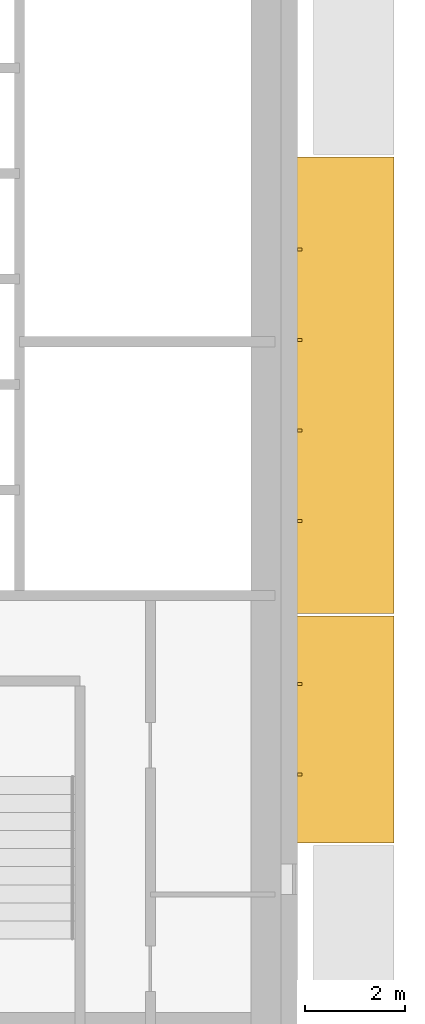
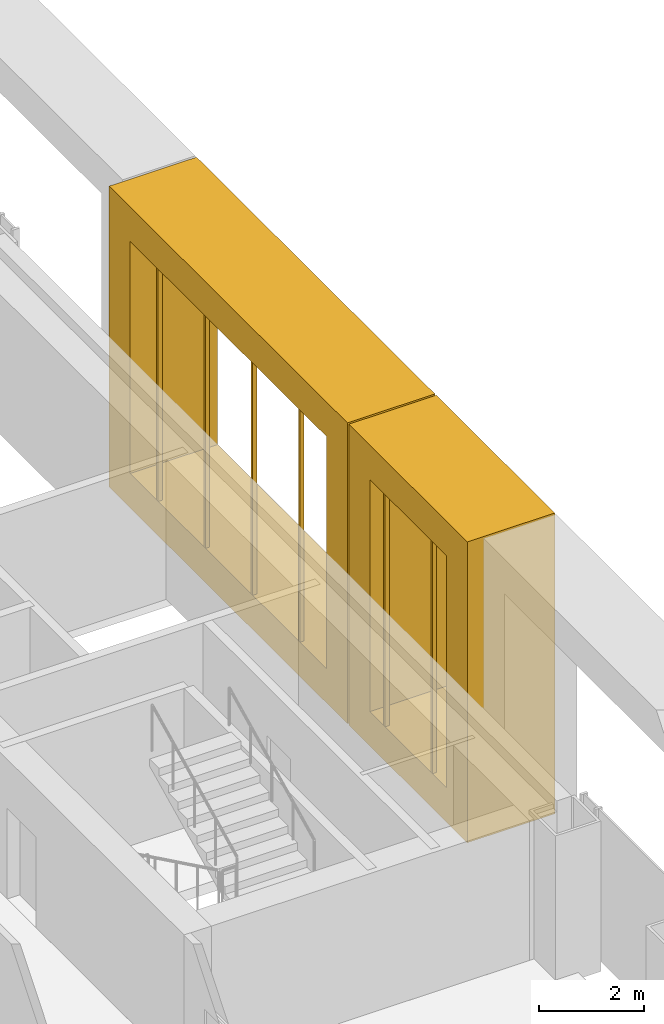
# One storey, part 23 of 25: 8 coverings.
"""IFC4 building model written with IfcOpenShell, lengths in metres."""

from ifc_helpers import new_model, si_unit, direction, frame, origin, origin_2d, place, context, subcontext, project, spatial, polyline, rectangle, outline, extrude, material, type_object, element, save


model = new_model("IFC4")

# Units and contexts
model_context = context("Model", 3, precision=1e-05, world=origin(), true_north=direction((0.0, 1.0)))
body_context = subcontext(model_context, "Body", "Model", "MODEL_VIEW")
ifc_project = project(units=[si_unit("LENGTHUNIT", "METRE"), si_unit("AREAUNIT", "SQUARE_METRE"), si_unit("VOLUMEUNIT", "CUBIC_METRE"), si_unit("PLANEANGLEUNIT", "RADIAN"), si_unit("MASSUNIT", "GRAM", prefix="KILO")], contexts=[model_context])

# Site, building, storey
site_placement = place(None, origin())
site = spatial("IfcSite", under=ifc_project, at=site_placement, CompositionType="ELEMENT")
building_placement = place(site_placement, origin())
building = spatial("IfcBuilding", under=site, at=building_placement, Name="Cobrizo Arcos Hotel Tower", CompositionType="ELEMENT")
storey_placement = place(building_placement, frame((0.0, 0.0, 46.0)))
storey = spatial("IfcBuildingStorey", under=building, at=storey_placement, Name="L09", CompositionType="ELEMENT", Elevation=46.0)

# Coverings
ifc_material_1 = material(Name="Aluminium 6063-T6 anodised bronze", Category="aluminium")
covering_type_1 = type_object("IfcCoveringType", Name="FIN-F 1925", PredefinedType="CLADDING", material=ifc_material_1)
covering_1_placement = place(storey_placement, frame((24.324951171875, -6.824951171875, 0.0), z_axis=(1.0, 0.0, 0.0), x_axis=(0.0, 1.0, 0.0)))
element("IfcCovering", 1, at=covering_1_placement, inside=storey, type_object=covering_type_1, Name="Fin frame 23", PredefinedType="CLADDING", context=body_context, shape_type="SweptSolid", body=[
    extrude(outline(polyline([(0.0, 7.0), (0.0, 0.0), (4.5166015625, 0.0), (4.5166015625, 7.0), (0.0, 7.0)]), holes=[polyline([(3.716796875, 0.800048828125), (0.800048828125, 0.800048828125), (0.800048828125, 6.199951171875), (3.716796875, 6.199951171875), (3.716796875, 0.800048828125)])]), origin(), (0.0, 0.0, 1.0), 1.925048828125),
])
covering_2_placement = place(storey_placement, frame((24.324951171875, -2.25830078125, 0.0), z_axis=(1.0, 0.0, 0.0), x_axis=(0.0, 1.0, 0.0)))
element("IfcCovering", 2, at=covering_2_placement, inside=storey, type_object=covering_type_1, Name="Fin frame 24", PredefinedType="CLADDING", context=body_context, shape_type="SweptSolid", body=[
    extrude(outline(polyline([(0.0, 7.0), (0.0, 0.0), (9.083251953125, 0.0), (9.083251953125, 7.0), (0.0, 7.0)]), holes=[polyline([(8.283203125, 0.800048828125), (0.800048828125, 0.800048828125), (0.800048828125, 6.199951171875), (8.283203125, 6.199951171875), (8.283203125, 0.800048828125)])]), origin(), (0.0, 0.0, 1.0), 1.925048828125),
])
ifc_material_2 = material(Name="Aluminium 6063-T6 anodised pale", Category="aluminium")
covering_type_2 = type_object("IfcCoveringType", Name="RS-1 rainscreen rib 60x90", PredefinedType="CLADDING", material=ifc_material_2)
for number, where, z_axis, x_axis, name in (
    (3, (24.3701171875, -5.466552734375, 0.800048828125), (0.0, 0.0, 1.0), (0.0, 1.0, 0.0), "Rainscreen rib 93"),
    (4, (24.3701171875, -3.666748046875, 0.800048828125), (0.0, 0.0, 1.0), (0.0, 1.0, 0.0), "Rainscreen rib 94"),
    (5, (24.3701171875, -0.416748046875, 0.800048828125), (0.0, 0.0, 1.0), (0.0, 1.0, 0.0), "Rainscreen rib 95"),
    (6, (24.3701171875, 1.38330078125, 0.800048828125), (0.0, 0.0, 1.0), (0.0, 1.0, 0.0), "Rainscreen rib 96"),
    (7, (24.3701171875, 3.183349609375, 0.800048828125), (0.0, 0.0, 1.0), (0.0, 1.0, 0.0), "Rainscreen rib 97"),
    (8, (24.3701171875, 4.9833984375, 0.800048828125), (0.0, 0.0, 1.0), (0.0, 1.0, 0.0), "Rainscreen rib 98"),
):
    element("IfcCovering", number, at=place(storey_placement, frame(where, z_axis=z_axis, x_axis=x_axis)), inside=storey, type_object=covering_type_2, Name=name, PredefinedType="CLADDING", context=body_context, shape_type="SweptSolid", body=[
        extrude(rectangle(XDim=0.06005859375, YDim=0.090087890625, at=origin_2d()), origin(), (0.0, 0.0, 1.0), 5.39990234375),
    ])

save(model, "model.ifc")
